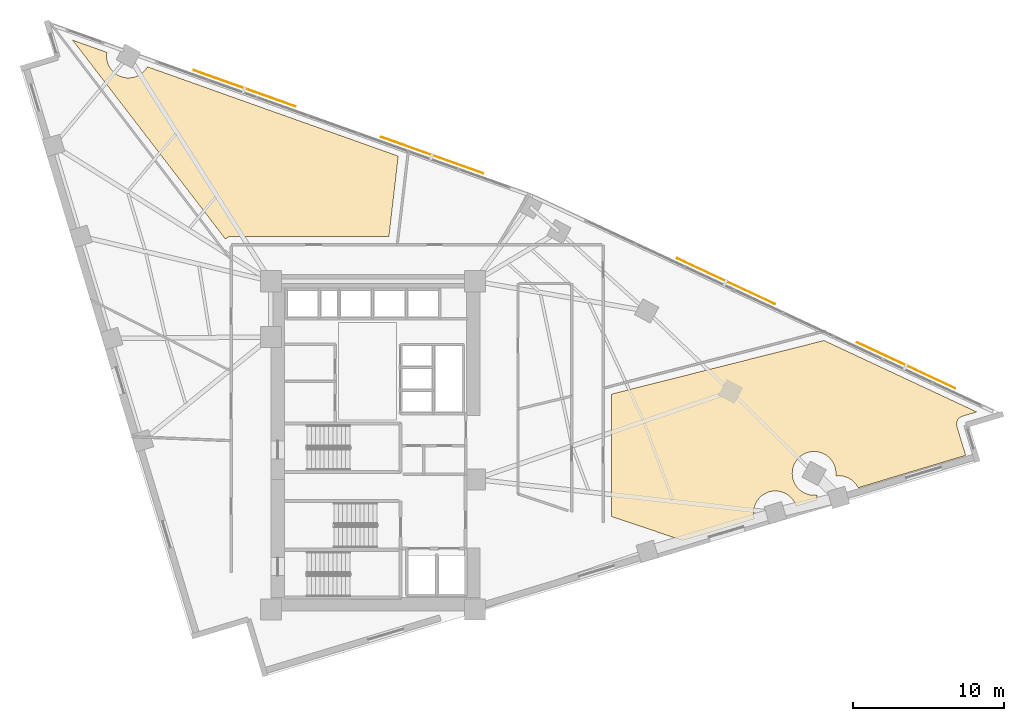
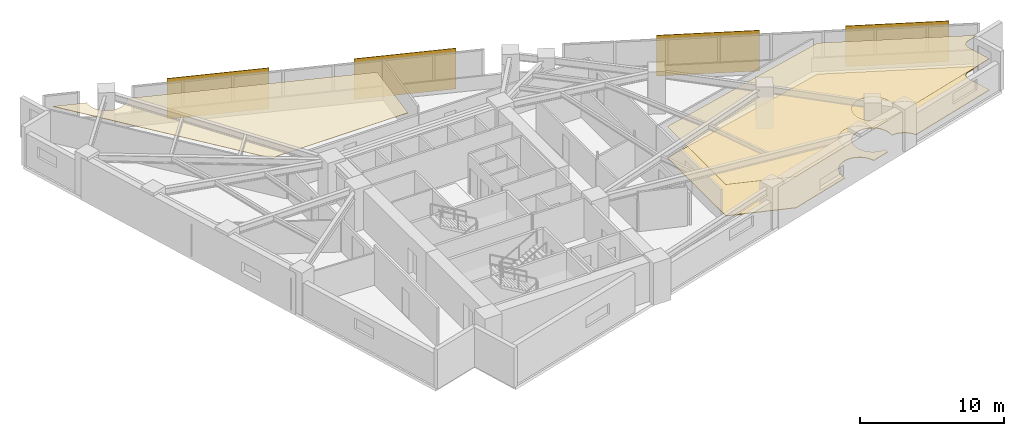
# One storey, part 16 of 16: 4 shading devices, 3 coverings.
"""IFC4 building model written with IfcOpenShell, lengths in metres."""

from ifc_helpers import new_model, si_unit, direction, frame, origin, origin_2d, place, context, subcontext, project, spatial, polyline, rectangle, outline, extrude, material, layer, layer_set, type_object, element, save


model = new_model("IFC4")

# Units and contexts
model_context = context("Model", 3, precision=1e-05, world=origin(), true_north=direction((0.0, 1.0)))
body_context = subcontext(model_context, "Body", "Model", "MODEL_VIEW")
ifc_project = project(units=[si_unit("LENGTHUNIT", "METRE"), si_unit("AREAUNIT", "SQUARE_METRE"), si_unit("VOLUMEUNIT", "CUBIC_METRE"), si_unit("PLANEANGLEUNIT", "RADIAN"), si_unit("MASSUNIT", "GRAM", prefix="KILO")], contexts=[model_context])

# Site, building, storey
site_placement = place(None, origin())
site = spatial("IfcSite", under=ifc_project, at=site_placement, CompositionType="ELEMENT")
building_placement = place(site_placement, origin())
building = spatial("IfcBuilding", under=site, at=building_placement, Name="Narakoshi Arena Tower", CompositionType="ELEMENT")
storey_placement = place(building_placement, frame((0.0, 0.0, 150.300048828125)))
storey = spatial("IfcBuildingStorey", under=building, at=storey_placement, Name="L40", CompositionType="ELEMENT", Elevation=150.300048828125)

# Coverings
ifc_material_1 = material(Name="Acoustic mineral-fibre ceiling tile")
ifc_layer_1 = layer(ifc_material_1, 0.02001953125)
ifc_layer_set_1 = layer_set([ifc_layer_1], Name="Acoustic mineral-fibre ceiling tile")
covering_type_1 = type_object("IfcCoveringType", Name="COV-CLG-AC20", PredefinedType="CEILING", material=ifc_layer_set_1)
covering_1_placement = place(storey_placement, frame((0.0, 0.0, 2.669921875)))
element("IfcCovering", 1, at=covering_1_placement, inside=storey, type_object=covering_type_1, Name="L40 Suspended Acoustic Ceiling 1", PredefinedType="CEILING", context=body_context, shape_type="SweptSolid", body=[
    extrude(outline(polyline([(117.8642578125, 47.522705078125), (117.8154296875, 47.499755859375), (117.76904296875, 47.47216796875), (117.7255859375, 47.43994140625), (117.685546875, 47.40380859375), (117.649169921875, 47.364013671875), (117.616943359375, 47.32080078125), (117.589111328125, 47.2744140625), (117.56591796875, 47.2255859375), (117.547607421875, 47.1748046875), (117.534423828125, 47.12255859375), (117.5263671875, 47.069091796875), (117.523681640625, 47.015380859375), (117.526123046875, 46.96142578125), (117.533935546875, 46.907958984375), (117.546875, 46.855712890625), (118.1240234375, 44.93798828125), (110.98681640625, 42.789794921875), (110.971435546875, 42.82275390625), (110.898193359375, 42.94482421875), (110.8134765625, 43.05908203125), (110.718017578125, 43.16455078125), (110.612548828125, 43.260009765625), (110.498291015625, 43.3447265625), (110.376220703125, 43.41796875), (110.24755859375, 43.478759765625), (110.113525390625, 43.52685546875), (109.9755859375, 43.561279296875), (109.834716796875, 43.582275390625), (109.692626953125, 43.589111328125), (109.550537109375, 43.582275390625), (109.5, 43.57470703125), (109.504150390625, 43.603515625), (109.51123046875, 43.74560546875), (109.504150390625, 43.8876953125), (109.4833984375, 44.0283203125), (109.44873046875, 44.16650390625), (109.40087890625, 44.30029296875), (109.340087890625, 44.428955078125), (109.266845703125, 44.551025390625), (109.18212890625, 44.665283203125), (109.08642578125, 44.770751953125), (108.981201171875, 44.866455078125), (108.86669921875, 44.951171875), (108.74462890625, 45.0244140625), (108.6162109375, 45.085205078125), (108.482177734375, 45.133056640625), (108.343994140625, 45.16748046875), (108.203369140625, 45.1884765625), (108.061279296875, 45.195556640625), (107.919189453125, 45.1884765625), (107.7783203125, 45.16748046875), (107.640380859375, 45.133056640625), (107.50634765625, 45.085205078125), (107.377685546875, 45.0244140625), (107.255615234375, 44.951171875), (107.141357421875, 44.866455078125), (107.035888671875, 44.770751953125), (106.940185546875, 44.665283203125), (106.855712890625, 44.551025390625), (106.782470703125, 44.428955078125), (106.7216796875, 44.30029296875), (106.673583984375, 44.16650390625), (106.63916015625, 44.0283203125), (106.6181640625, 43.8876953125), (106.611083984375, 43.74560546875), (106.6181640625, 43.603515625), (106.63916015625, 43.462646484375), (106.673583984375, 43.32470703125), (106.7216796875, 43.190673828125), (106.782470703125, 43.06201171875), (106.855712890625, 42.93994140625), (106.940185546875, 42.82568359375), (107.035888671875, 42.72021484375), (107.141357421875, 42.62451171875), (107.255615234375, 42.539794921875), (107.377685546875, 42.466796875), (107.50634765625, 42.406005859375), (107.640380859375, 42.35791015625), (107.7783203125, 42.323486328125), (107.919189453125, 42.302490234375), (108.061279296875, 42.29541015625), (108.203369140625, 42.302490234375), (108.25390625, 42.31005859375), (108.24951171875, 42.28125), (108.24267578125, 42.13916015625), (108.24951171875, 41.9970703125), (108.25390625, 41.96728515625), (106.87890625, 41.553466796875), (106.833251953125, 41.680908203125), (106.7724609375, 41.8095703125), (106.69921875, 41.931640625), (106.614501953125, 42.0458984375), (106.51904296875, 42.1513671875), (106.41357421875, 42.2470703125), (106.29931640625, 42.331787109375), (106.17724609375, 42.40478515625), (106.048583984375, 42.4658203125), (105.91455078125, 42.513671875), (105.776611328125, 42.548095703125), (105.6357421875, 42.569091796875), (105.49365234375, 42.576171875), (105.3515625, 42.569091796875), (105.210693359375, 42.548095703125), (105.07275390625, 42.513671875), (104.938720703125, 42.4658203125), (104.810302734375, 42.40478515625), (104.68798828125, 42.331787109375), (104.57373046875, 42.2470703125), (104.468505859375, 42.1513671875), (104.372802734375, 42.0458984375), (104.2880859375, 41.931640625), (104.21484375, 41.8095703125), (104.154052734375, 41.680908203125), (104.106201171875, 41.547119140625), (104.071533203125, 41.408935546875), (104.05078125, 41.268310546875), (104.043701171875, 41.126220703125), (104.05078125, 40.98388671875), (104.071533203125, 40.84326171875), (104.102783203125, 40.718017578125), (99.347900390625, 39.286865234375), (97.61376953125, 39.86962890625), (97.539306640625, 39.90478515625), (97.405517578125, 39.952880859375), (97.267333984375, 39.9873046875), (97.260498046875, 39.98828125), (94.623779296875, 40.87451171875), (94.623779296875, 49.009765625), (108.719482421875, 52.5634765625), (118.8564453125, 47.823974609375), (117.9150390625, 47.540771484375), (117.8642578125, 47.522705078125)])), origin(), (0.0, 0.0, 1.0), 0.02001953125),
])
ifc_material_2 = material(Name="Slatted oak acoustic timber baffle", Category="wood")
ifc_layer_2 = layer(ifc_material_2, 0.034912109375)
ifc_layer_set_2 = layer_set([ifc_layer_2], Name="Slatted oak acoustic timber baffle")
covering_type_2 = type_object("IfcCoveringType", Name="COV-CLG-WD35", PredefinedType="CEILING", material=ifc_layer_set_2)
covering_2_placement = place(storey_placement, frame((0.0, 0.0, 2.655029296875)))
element("IfcCovering", 2, at=covering_2_placement, inside=storey, type_object=covering_type_2, Name="L40 Suspended Acoustic Ceiling 2", PredefinedType="CEILING", context=body_context, shape_type="SweptSolid", body=[
    extrude(outline(polyline([(58.84033203125, 72.50439453125), (61.1171875, 71.693603515625), (61.102294921875, 71.59228515625), (61.09521484375, 71.4501953125), (61.102294921875, 71.30810546875), (61.123046875, 71.16748046875), (61.15771484375, 71.029296875), (61.20556640625, 70.8955078125), (61.266357421875, 70.766845703125), (61.339599609375, 70.644775390625), (61.42431640625, 70.530517578125), (61.52001953125, 70.425048828125), (61.625244140625, 70.329345703125), (61.739501953125, 70.24462890625), (61.86181640625, 70.17138671875), (61.990234375, 70.110595703125), (62.124267578125, 70.062744140625), (62.26220703125, 70.0283203125), (62.403076171875, 70.00732421875), (62.545166015625, 70.000244140625), (62.687255859375, 70.00732421875), (62.828125, 70.0283203125), (62.966064453125, 70.062744140625), (63.10009765625, 70.110595703125), (63.228759765625, 70.17138671875), (63.350830078125, 70.24462890625), (63.465087890625, 70.329345703125), (63.570556640625, 70.425048828125), (63.666015625, 70.530517578125), (63.750732421875, 70.644775390625), (63.8056640625, 70.736083984375), (80.454833984375, 64.80615234375), (79.837890625, 59.468994140625), (69.376220703125, 59.468994140625), (69.322265625, 59.46630859375), (69.268798828125, 59.45849609375), (69.216552734375, 59.4453125), (69.165771484375, 59.427001953125), (69.116943359375, 59.404052734375), (69.070556640625, 59.376220703125), (69.02734375, 59.34423828125), (68.9873046875, 59.307861328125), (68.982421875, 59.302490234375), (58.84033203125, 72.50439453125)])), origin(), (0.0, 0.0, 1.0), 0.034912109375),
])
ifc_material_3 = material(Name="Raised steel access floor panel", Category="steel")
ifc_layer_3 = layer(ifc_material_3, 0.044921875)
ifc_layer_set_3 = layer_set([ifc_layer_3], Name="Raised steel access floor panel")
covering_type_3 = type_object("IfcCoveringType", Name="COV-FLR-RF45", PredefinedType="FLOORING", material=ifc_layer_set_3)
covering_3_placement = place(storey_placement, origin())
element("IfcCovering", 3, at=covering_3_placement, inside=storey, type_object=covering_type_3, Name="L40 Raised Steel Access Floor", PredefinedType="FLOORING", context=body_context, shape_type="SweptSolid", body=[
    extrude(outline(polyline([(117.8642578125, 47.522705078125), (117.8154296875, 47.499755859375), (117.76904296875, 47.47216796875), (117.7255859375, 47.43994140625), (117.685546875, 47.40380859375), (117.649169921875, 47.364013671875), (117.616943359375, 47.32080078125), (117.589111328125, 47.2744140625), (117.56591796875, 47.2255859375), (117.547607421875, 47.1748046875), (117.534423828125, 47.12255859375), (117.5263671875, 47.069091796875), (117.523681640625, 47.015380859375), (117.526123046875, 46.96142578125), (117.533935546875, 46.907958984375), (117.546875, 46.855712890625), (118.1240234375, 44.93798828125), (110.98681640625, 42.789794921875), (110.971435546875, 42.82275390625), (110.898193359375, 42.94482421875), (110.8134765625, 43.05908203125), (110.718017578125, 43.16455078125), (110.612548828125, 43.260009765625), (110.498291015625, 43.3447265625), (110.376220703125, 43.41796875), (110.24755859375, 43.478759765625), (110.113525390625, 43.52685546875), (109.9755859375, 43.561279296875), (109.834716796875, 43.582275390625), (109.692626953125, 43.589111328125), (109.550537109375, 43.582275390625), (109.5, 43.57470703125), (109.504150390625, 43.603515625), (109.51123046875, 43.74560546875), (109.504150390625, 43.8876953125), (109.4833984375, 44.0283203125), (109.44873046875, 44.16650390625), (109.40087890625, 44.30029296875), (109.340087890625, 44.428955078125), (109.266845703125, 44.551025390625), (109.18212890625, 44.665283203125), (109.08642578125, 44.770751953125), (108.981201171875, 44.866455078125), (108.86669921875, 44.951171875), (108.74462890625, 45.0244140625), (108.6162109375, 45.085205078125), (108.482177734375, 45.133056640625), (108.343994140625, 45.16748046875), (108.203369140625, 45.1884765625), (108.061279296875, 45.195556640625), (107.919189453125, 45.1884765625), (107.7783203125, 45.16748046875), (107.640380859375, 45.133056640625), (107.50634765625, 45.085205078125), (107.377685546875, 45.0244140625), (107.255615234375, 44.951171875), (107.141357421875, 44.866455078125), (107.035888671875, 44.770751953125), (106.940185546875, 44.665283203125), (106.855712890625, 44.551025390625), (106.782470703125, 44.428955078125), (106.7216796875, 44.30029296875), (106.673583984375, 44.16650390625), (106.63916015625, 44.0283203125), (106.6181640625, 43.8876953125), (106.611083984375, 43.74560546875), (106.6181640625, 43.603515625), (106.63916015625, 43.462646484375), (106.673583984375, 43.32470703125), (106.7216796875, 43.190673828125), (106.782470703125, 43.06201171875), (106.855712890625, 42.93994140625), (106.940185546875, 42.82568359375), (107.035888671875, 42.72021484375), (107.141357421875, 42.62451171875), (107.255615234375, 42.539794921875), (107.377685546875, 42.466796875), (107.50634765625, 42.406005859375), (107.640380859375, 42.35791015625), (107.7783203125, 42.323486328125), (107.919189453125, 42.302490234375), (108.061279296875, 42.29541015625), (108.203369140625, 42.302490234375), (108.25390625, 42.31005859375), (108.24951171875, 42.28125), (108.24267578125, 42.13916015625), (108.24951171875, 41.9970703125), (108.25390625, 41.96728515625), (106.87890625, 41.553466796875), (106.833251953125, 41.680908203125), (106.7724609375, 41.8095703125), (106.69921875, 41.931640625), (106.614501953125, 42.0458984375), (106.51904296875, 42.1513671875), (106.41357421875, 42.2470703125), (106.29931640625, 42.331787109375), (106.17724609375, 42.40478515625), (106.048583984375, 42.4658203125), (105.91455078125, 42.513671875), (105.776611328125, 42.548095703125), (105.6357421875, 42.569091796875), (105.49365234375, 42.576171875), (105.3515625, 42.569091796875), (105.210693359375, 42.548095703125), (105.07275390625, 42.513671875), (104.938720703125, 42.4658203125), (104.810302734375, 42.40478515625), (104.68798828125, 42.331787109375), (104.57373046875, 42.2470703125), (104.468505859375, 42.1513671875), (104.372802734375, 42.0458984375), (104.2880859375, 41.931640625), (104.21484375, 41.8095703125), (104.154052734375, 41.680908203125), (104.106201171875, 41.547119140625), (104.071533203125, 41.408935546875), (104.05078125, 41.268310546875), (104.043701171875, 41.126220703125), (104.05078125, 40.98388671875), (104.071533203125, 40.84326171875), (104.102783203125, 40.718017578125), (99.347900390625, 39.286865234375), (97.61376953125, 39.86962890625), (97.539306640625, 39.90478515625), (97.405517578125, 39.952880859375), (97.267333984375, 39.9873046875), (97.260498046875, 39.98828125), (94.623779296875, 40.87451171875), (94.623779296875, 49.009765625), (108.719482421875, 52.5634765625), (118.8564453125, 47.823974609375), (117.9150390625, 47.540771484375), (117.8642578125, 47.522705078125)])), origin(), (0.0, 0.0, 1.0), 0.044921875),
])

# Shading devices
ifc_material_4 = material(Name="Perforated bronze ceramic-metal composite")
ifc_layer_4 = layer(ifc_material_4, 0.044921875)
ifc_layer_set_4 = layer_set([ifc_layer_4], Name="Perforated bronze ceramic-metal composite")
shading_device_type = type_object("IfcShadingDeviceType", Name="SHD-SCR-BRZ1", PredefinedType="USERDEFINED", material=ifc_layer_set_4)
for number, where, z_axis, x_axis, name in (
    (4, (114.172607421875, 50.910888671875, 0.0), (0.0, 0.0, 1.0), (-0.9058795101, 0.423535492234, 0.0), "L40 Perforated Bronze Solar Screen 1-1"),
    (5, (102.21484375, 56.50146484375, 0.0), (0.0, 0.0, 1.0), (-0.9058795101, 0.423535492234, 0.0), "L40 Perforated Bronze Solar Screen 1-2"),
    (6, (82.70068359375, 64.868896484375, 0.0), (0.0, 0.0, 1.0), (-0.942034031554, 0.33551733695, 0.0), "L40 Perforated Bronze Solar Screen 2-1"),
    (7, (70.265869140625, 69.297607421875, 0.0), (0.0, 0.0, 1.0), (-0.942034031554, 0.33551733695, 0.0), "L40 Perforated Bronze Solar Screen 2-2"),
):
    element("IfcShadingDevice", number, at=place(storey_placement, frame(where, z_axis=z_axis, x_axis=x_axis)), inside=storey, type_object=shading_device_type, Name=name, ObjectType="SOLAR SCREEN", PredefinedType="USERDEFINED", context=body_context, shape_type="SweptSolid", body=[
        extrude(rectangle(XDim=7.199951171875, YDim=0.044921875, at=origin_2d()), origin(), (0.0, 0.0, 1.0), 3.449951171875),
    ])

save(model, "model.ifc")
